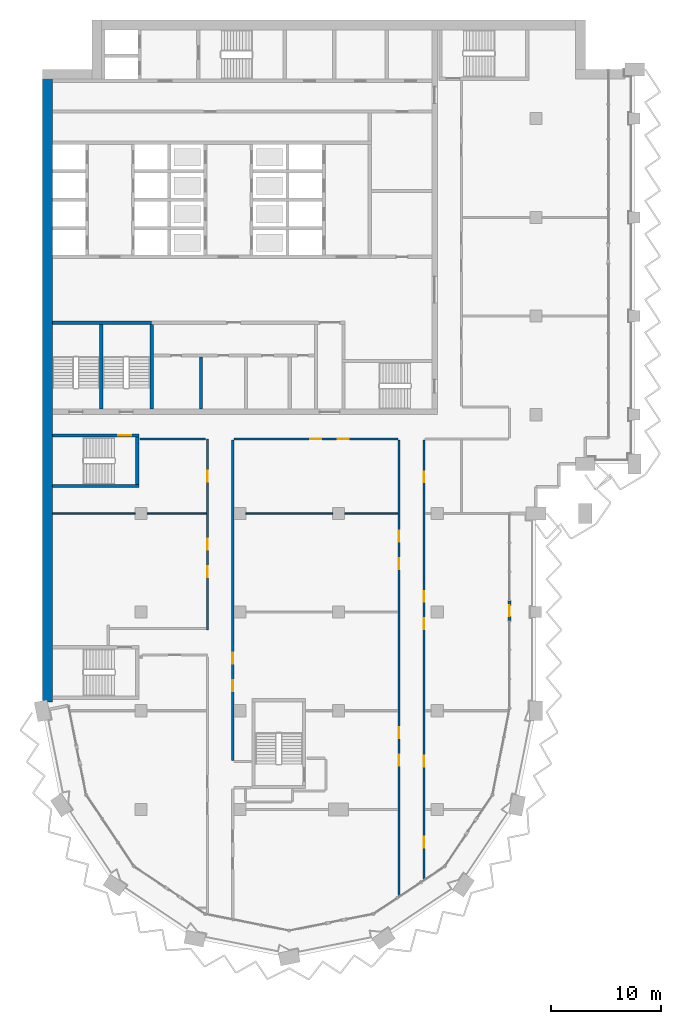
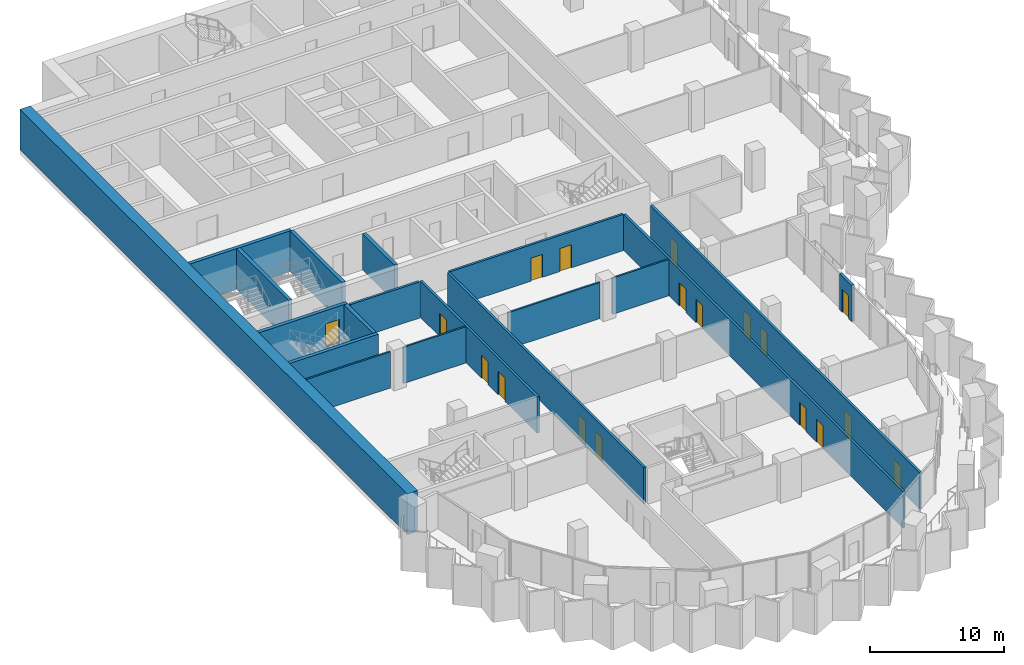
# One storey, part 7 of 18: 19 walls, 18 doors, 18 openings.
"""IFC4 building model written with IfcOpenShell, lengths in metres."""

from ifc_helpers import new_model, si_unit, direction, frame, frame_2d, origin, place, context, subcontext, project, spatial, rectangle, extrude, material, layer, layer_set, type_object, element, fill, save


model = new_model("IFC4")

# Units and contexts
model_context = context("Model", 3, precision=1e-05, world=origin(), true_north=direction((0.0, 1.0)))
body_context = subcontext(model_context, "Body", "Model", "MODEL_VIEW")
ifc_project = project(units=[si_unit("LENGTHUNIT", "METRE"), si_unit("AREAUNIT", "SQUARE_METRE"), si_unit("VOLUMEUNIT", "CUBIC_METRE"), si_unit("PLANEANGLEUNIT", "RADIAN"), si_unit("MASSUNIT", "GRAM", prefix="KILO")], contexts=[model_context])

# Site, building, storey
site_placement = place(None, origin())
site = spatial("IfcSite", under=ifc_project, at=site_placement, CompositionType="ELEMENT")
building_placement = place(site_placement, origin())
building = spatial("IfcBuilding", under=site, at=building_placement, Name="Hunhe Ridgeline Campus", CompositionType="ELEMENT")
storey_placement = place(building_placement, frame((0.0, 0.0, 182.800048828125)))
storey = spatial("IfcBuildingStorey", under=building, at=storey_placement, Name="L46", CompositionType="ELEMENT", Elevation=182.800048828125)

# Walls
ifc_material_1 = material(Name="Masonry concrete blockwork", Category="masonry")
ifc_layer_1 = layer(ifc_material_1, 0.300048828125)
ifc_layer_set_1 = layer_set([ifc_layer_1], Name="Core room partition 300 concrete block")
wall_type_1 = type_object("IfcWallType", Name="Core room partition 300 concrete block", PredefinedType="PARTITIONING", material=ifc_layer_set_1)
wall_1_placement = place(storey_placement, frame((14.449951171875, 63.5, 0.0), z_axis=(0.0, 0.0, 1.0), x_axis=(0.0, 1.0, 0.0)))
element("IfcWall", 1, at=wall_1_placement, inside=storey, type_object=wall_type_1, Name="L46 core partition 39", PredefinedType="PARTITIONING", context=body_context, shape_type="SweptSolid", body=[
    extrude(rectangle(XDim=4.75, YDim=0.300048828125, at=frame_2d((2.375, 0.0))), origin(), (0.0, 0.0, 1.0), 3.300048828125),
])
ifc_material_2 = material(Name="Gypsum board partition")
ifc_layer_2 = layer(ifc_material_2, 0.199951171875)
ifc_layer_set_2 = layer_set([ifc_layer_2], Name="Corridor partition 200 gypsum board on steel studs")
wall_type_2 = type_object("IfcWallType", Name="Corridor partition 200 gypsum board on steel studs", PredefinedType="PARTITIONING", material=ifc_layer_set_2)
wall_2_placement = place(storey_placement, frame((14.850341796875, 60.800048828125, 0.0), z_axis=(0.0, 0.0, 1.0), x_axis=(-1.0, 0.0, 0.0)))
element("IfcWall", 2, at=wall_2_placement, inside=storey, type_object=wall_type_2, Name="F-L46-wall-027", PredefinedType="PARTITIONING", context=body_context, shape_type="SweptSolid", body=[
    extrude(rectangle(XDim=5.9462890625, YDim=0.199951171875, at=frame_2d((2.97314453125, 0.0))), origin(), (0.0, 0.0, 1.0), 3.300048828125),
])

# Wall, openings, doors
wall_3_placement = place(storey_placement, frame((32.39990234375, 60.800048828125, 0.0), z_axis=(0.0, 0.0, 1.0), x_axis=(-1.0, 0.0, 0.0)))
wall_3 = element("IfcWall", 3, at=wall_3_placement, inside=storey, type_object=wall_type_2, Name="F-L46-wall-028", PredefinedType="PARTITIONING", context=body_context, shape_type="SweptSolid", body=[
    extrude(rectangle(XDim=14.949951171875, YDim=0.199951171875, at=frame_2d((7.47509765625, 0.0))), origin(), (0.0, 0.0, 1.0), 3.300048828125),
])
opening_1_placement = place(wall_3_placement, frame((6.97509765625, 0.0, 0.0)))
opening_1 = element("IfcOpeningElement", 4, at=opening_1_placement, cuts=wall_3, Name="Opening RD1-020", PredefinedType="OPENING", context=body_context, shape_type="SweptSolid", body=[
    extrude(rectangle(XDim=1.0, YDim=2.10009765625, at=frame_2d((0.5, 1.050048828125))), frame((0.0, 0.10009765625, 0.0), z_axis=(0.0, -1.0, 0.0), x_axis=(1.0, 0.0, 0.0)), (0.0, 0.0, 1.0), 0.199951171875),
])
opening_2_placement = place(wall_3_placement, frame((4.47509765625, 0.0, 0.0)))
opening_2 = element("IfcOpeningElement", 5, at=opening_2_placement, cuts=wall_3, Name="Opening RD1-021", PredefinedType="OPENING", context=body_context, shape_type="SweptSolid", body=[
    extrude(rectangle(XDim=1.0, YDim=2.10009765625, at=frame_2d((0.5, 1.050048828125))), frame((0.0, 0.10009765625, 0.0), z_axis=(0.0, -1.0, 0.0), x_axis=(1.0, 0.0, 0.0)), (0.0, 0.0, 1.0), 0.199951171875),
])
ifc_material_3 = material(Name="Timber door leaf", Category="wood")
door_type_1 = type_object("IfcDoorType", Name="Single fire door 1000x2100 timber FD60", OperationType="NOTDEFINED", PredefinedType="DOOR", material=ifc_material_3)
door_1_placement = place(opening_1_placement, frame((1.0, 0.0, 0.0), z_axis=(0.0, 0.0, 1.0), x_axis=(-1.0, 0.0, 0.0)))
door_1 = element("IfcDoor", 6, at=door_1_placement, inside=storey, type_object=door_type_1, Name="F-L46-door-020", OperationType="SINGLE_SWING_LEFT", OverallHeight=2.10009765625, OverallWidth=1.0, PredefinedType="DOOR", context=body_context, shape_type="SweptSolid", body=[
    extrude(rectangle(XDim=1.0, YDim=2.10009765625, at=frame_2d((0.5, 1.050048828125))), frame((0.0, 0.02490234375, 0.0), z_axis=(0.0, -1.0, 0.0), x_axis=(1.0, 0.0, 0.0)), (0.0, 0.0, 1.0), 0.050048828125),
])
fill(opening_1, door_1)
door_2_placement = place(opening_2_placement, frame((1.0, 0.0, 0.0), z_axis=(0.0, 0.0, 1.0), x_axis=(-1.0, 0.0, 0.0)))
door_2 = element("IfcDoor", 7, at=door_2_placement, inside=storey, type_object=door_type_1, Name="F-L46-door-021", OperationType="SINGLE_SWING_RIGHT", OverallHeight=2.10009765625, OverallWidth=1.0, PredefinedType="DOOR", context=body_context, shape_type="SweptSolid", body=[
    extrude(rectangle(XDim=1.0, YDim=2.10009765625, at=frame_2d((0.5, 1.050048828125))), frame((0.0, 0.02490234375, 0.0), z_axis=(0.0, -1.0, 0.0), x_axis=(1.0, 0.0, 0.0)), (0.0, 0.0, 1.0), 0.050048828125),
])
fill(opening_2, door_2)

wall_4_placement = place(storey_placement, frame((15.050048828125, 43.37451171875, 0.0), z_axis=(0.0, 0.0, 1.0), x_axis=(0.0, 1.0, 0.0)))
wall_4 = element("IfcWall", 8, at=wall_4_placement, inside=storey, type_object=wall_type_2, Name="F-L46-wall-038", PredefinedType="PARTITIONING", context=body_context, shape_type="SweptSolid", body=[
    extrude(rectangle(XDim=17.425537109375, YDim=0.199951171875, at=frame_2d((8.712890625, 0.0))), origin(), (0.0, 0.0, 1.0), 3.300048828125),
])
opening_3_placement = place(wall_4_placement, frame((4.803466796875, 0.0, 0.0)))
opening_3 = element("IfcOpeningElement", 9, at=opening_3_placement, cuts=wall_4, Name="Opening RD1-014", PredefinedType="OPENING", context=body_context, shape_type="SweptSolid", body=[
    extrude(rectangle(XDim=1.0, YDim=2.10009765625, at=frame_2d((0.5, 1.050048828125))), frame((0.0, 0.10009765625, 0.0), z_axis=(0.0, -1.0, 0.0), x_axis=(1.0, 0.0, 0.0)), (0.0, 0.0, 1.0), 0.199951171875),
])
opening_4_placement = place(wall_4_placement, frame((7.303466796875, 0.0, 0.0)))
opening_4 = element("IfcOpeningElement", 10, at=opening_4_placement, cuts=wall_4, Name="Opening RD1-016", PredefinedType="OPENING", context=body_context, shape_type="SweptSolid", body=[
    extrude(rectangle(XDim=1.0, YDim=2.10009765625, at=frame_2d((0.5, 1.050048828125))), frame((0.0, 0.10009765625, 0.0), z_axis=(0.0, -1.0, 0.0), x_axis=(1.0, 0.0, 0.0)), (0.0, 0.0, 1.0), 0.199951171875),
])
opening_5_placement = place(wall_4_placement, frame((13.51611328125, 0.0, 0.0)))
opening_5 = element("IfcOpeningElement", 11, at=opening_5_placement, cuts=wall_4, Name="Opening RD1-019", PredefinedType="OPENING", context=body_context, shape_type="SweptSolid", body=[
    extrude(rectangle(XDim=1.0, YDim=2.10009765625, at=frame_2d((0.5, 1.050048828125))), frame((0.0, 0.10009765625, 0.0), z_axis=(0.0, -1.0, 0.0), x_axis=(1.0, 0.0, 0.0)), (0.0, 0.0, 1.0), 0.199951171875),
])
door_3_placement = place(opening_3_placement, frame((1.0, 0.0, 0.0), z_axis=(0.0, 0.0, 1.0), x_axis=(-1.0, 0.0, 0.0)))
door_3 = element("IfcDoor", 12, at=door_3_placement, inside=storey, type_object=door_type_1, Name="F-L46-door-014", OperationType="SINGLE_SWING_RIGHT", OverallHeight=2.10009765625, OverallWidth=1.0, PredefinedType="DOOR", context=body_context, shape_type="SweptSolid", body=[
    extrude(rectangle(XDim=1.0, YDim=2.10009765625, at=frame_2d((0.5, 1.050048828125))), frame((0.0, 0.02490234375, 0.0), z_axis=(0.0, -1.0, 0.0), x_axis=(1.0, 0.0, 0.0)), (0.0, 0.0, 1.0), 0.050048828125),
])
fill(opening_3, door_3)
door_4_placement = place(opening_4_placement, frame((1.0, 0.0, 0.0), z_axis=(0.0, 0.0, 1.0), x_axis=(-1.0, 0.0, 0.0)))
door_4 = element("IfcDoor", 13, at=door_4_placement, inside=storey, type_object=door_type_1, Name="F-L46-door-016", OperationType="SINGLE_SWING_LEFT", OverallHeight=2.10009765625, OverallWidth=1.0, PredefinedType="DOOR", context=body_context, shape_type="SweptSolid", body=[
    extrude(rectangle(XDim=1.0, YDim=2.10009765625, at=frame_2d((0.5, 1.050048828125))), frame((0.0, 0.02490234375, 0.0), z_axis=(0.0, -1.0, 0.0), x_axis=(1.0, 0.0, 0.0)), (0.0, 0.0, 1.0), 0.050048828125),
])
fill(opening_4, door_4)
door_5_placement = place(opening_5_placement, origin())
door_5 = element("IfcDoor", 14, at=door_5_placement, inside=storey, type_object=door_type_1, Name="F-L46-door-019", OperationType="SINGLE_SWING_LEFT", OverallHeight=2.10009765625, OverallWidth=1.0, PredefinedType="DOOR", context=body_context, shape_type="SweptSolid", body=[
    extrude(rectangle(XDim=1.0, YDim=2.10009765625, at=frame_2d((0.5, 1.050048828125))), frame((0.0, 0.02490234375, 0.0), z_axis=(0.0, -1.0, 0.0), x_axis=(1.0, 0.0, 0.0)), (0.0, 0.0, 1.0), 0.050048828125),
])
fill(opening_5, door_5)

wall_5_placement = place(storey_placement, frame((17.35009765625, 60.699951171875, 0.0), z_axis=(0.0, 0.0, 1.0), x_axis=(0.0, -1.0, 0.0)))
wall_5 = element("IfcWall", 15, at=wall_5_placement, inside=storey, type_object=wall_type_2, Name="F-L46-wall-040", PredefinedType="PARTITIONING", context=body_context, shape_type="SweptSolid", body=[
    extrude(rectangle(XDim=29.224853515625, YDim=0.199951171875, at=frame_2d((14.6123046875, 0.0))), origin(), (0.0, 0.0, 1.0), 3.300048828125),
])
opening_6_placement = place(wall_5_placement, frame((21.922607421875, 0.0, 0.0)))
opening_6 = element("IfcOpeningElement", 16, at=opening_6_placement, cuts=wall_5, Name="Opening RD1-009", PredefinedType="OPENING", context=body_context, shape_type="SweptSolid", body=[
    extrude(rectangle(XDim=1.0, YDim=2.10009765625, at=frame_2d((0.5, 1.050048828125))), frame((0.0, 0.10009765625, 0.0), z_axis=(0.0, -1.0, 0.0), x_axis=(1.0, 0.0, 0.0)), (0.0, 0.0, 1.0), 0.199951171875),
])
opening_7_placement = place(wall_5_placement, frame((19.422607421875, 0.0, 0.0)))
opening_7 = element("IfcOpeningElement", 17, at=opening_7_placement, cuts=wall_5, Name="Opening RD1-010", PredefinedType="OPENING", context=body_context, shape_type="SweptSolid", body=[
    extrude(rectangle(XDim=1.0, YDim=2.10009765625, at=frame_2d((0.5, 1.050048828125))), frame((0.0, 0.10009765625, 0.0), z_axis=(0.0, -1.0, 0.0), x_axis=(1.0, 0.0, 0.0)), (0.0, 0.0, 1.0), 0.199951171875),
])
door_6_placement = place(opening_6_placement, frame((1.0, 0.0, 0.0), z_axis=(0.0, 0.0, 1.0), x_axis=(-1.0, 0.0, 0.0)))
door_6 = element("IfcDoor", 18, at=door_6_placement, inside=storey, type_object=door_type_1, Name="F-L46-door-009", OperationType="SINGLE_SWING_LEFT", OverallHeight=2.10009765625, OverallWidth=1.0, PredefinedType="DOOR", context=body_context, shape_type="SweptSolid", body=[
    extrude(rectangle(XDim=1.0, YDim=2.10009765625, at=frame_2d((0.5, 1.050048828125))), frame((0.0, 0.02490234375, 0.0), z_axis=(0.0, -1.0, 0.0), x_axis=(1.0, 0.0, 0.0)), (0.0, 0.0, 1.0), 0.050048828125),
])
fill(opening_6, door_6)
door_7_placement = place(opening_7_placement, frame((1.0, 0.0, 0.0), z_axis=(0.0, 0.0, 1.0), x_axis=(-1.0, 0.0, 0.0)))
door_7 = element("IfcDoor", 19, at=door_7_placement, inside=storey, type_object=door_type_1, Name="F-L46-door-010", OperationType="SINGLE_SWING_RIGHT", OverallHeight=2.10009765625, OverallWidth=1.0, PredefinedType="DOOR", context=body_context, shape_type="SweptSolid", body=[
    extrude(rectangle(XDim=1.0, YDim=2.10009765625, at=frame_2d((0.5, 1.050048828125))), frame((0.0, 0.02490234375, 0.0), z_axis=(0.0, -1.0, 0.0), x_axis=(1.0, 0.0, 0.0)), (0.0, 0.0, 1.0), 0.050048828125),
])
fill(opening_7, door_7)

wall_6_placement = place(storey_placement, frame((32.5, 19.09375, 0.0), z_axis=(0.0, 0.0, 1.0), x_axis=(0.0, 1.0, 0.0)))
wall_6 = element("IfcWall", 20, at=wall_6_placement, inside=storey, type_object=wall_type_2, Name="F-L46-wall-044", PredefinedType="PARTITIONING", context=body_context, shape_type="SweptSolid", body=[
    extrude(rectangle(XDim=41.606201171875, YDim=0.199951171875, at=frame_2d((20.80322265625, 0.0))), origin(), (0.0, 0.0, 1.0), 3.300048828125),
])
opening_8_placement = place(wall_6_placement, frame((11.90673828125, 0.0, 0.0)))
opening_8 = element("IfcOpeningElement", 21, at=opening_8_placement, cuts=wall_6, Name="Opening RD1-007", PredefinedType="OPENING", context=body_context, shape_type="SweptSolid", body=[
    extrude(rectangle(XDim=1.0, YDim=2.10009765625, at=frame_2d((0.5, 1.050048828125))), frame((0.0, 0.10009765625, 0.0), z_axis=(0.0, -1.0, 0.0), x_axis=(1.0, 0.0, 0.0)), (0.0, 0.0, 1.0), 0.199951171875),
])
opening_9_placement = place(wall_6_placement, frame((14.40673828125, 0.0, 0.0)))
opening_9 = element("IfcOpeningElement", 22, at=opening_9_placement, cuts=wall_6, Name="Opening RD1-008", PredefinedType="OPENING", context=body_context, shape_type="SweptSolid", body=[
    extrude(rectangle(XDim=1.0, YDim=2.10009765625, at=frame_2d((0.5, 1.050048828125))), frame((0.0, 0.10009765625, 0.0), z_axis=(0.0, -1.0, 0.0), x_axis=(1.0, 0.0, 0.0)), (0.0, 0.0, 1.0), 0.199951171875),
])
opening_10_placement = place(wall_6_placement, frame((29.827392578125, 0.0, 0.0)))
opening_10 = element("IfcOpeningElement", 23, at=opening_10_placement, cuts=wall_6, Name="Opening RD1-015", PredefinedType="OPENING", context=body_context, shape_type="SweptSolid", body=[
    extrude(rectangle(XDim=1.0, YDim=2.10009765625, at=frame_2d((0.5, 1.050048828125))), frame((0.0, 0.10009765625, 0.0), z_axis=(0.0, -1.0, 0.0), x_axis=(1.0, 0.0, 0.0)), (0.0, 0.0, 1.0), 0.199951171875),
])
opening_11_placement = place(wall_6_placement, frame((32.327392578125, 0.0, 0.0)))
opening_11 = element("IfcOpeningElement", 24, at=opening_11_placement, cuts=wall_6, Name="Opening RD1-017", PredefinedType="OPENING", context=body_context, shape_type="SweptSolid", body=[
    extrude(rectangle(XDim=1.0, YDim=2.10009765625, at=frame_2d((0.5, 1.050048828125))), frame((0.0, 0.10009765625, 0.0), z_axis=(0.0, -1.0, 0.0), x_axis=(1.0, 0.0, 0.0)), (0.0, 0.0, 1.0), 0.199951171875),
])
door_8_placement = place(opening_8_placement, frame((1.0, 0.0, 0.0), z_axis=(0.0, 0.0, 1.0), x_axis=(-1.0, 0.0, 0.0)))
door_8 = element("IfcDoor", 25, at=door_8_placement, inside=storey, type_object=door_type_1, Name="F-L46-door-007", OperationType="SINGLE_SWING_LEFT", OverallHeight=2.10009765625, OverallWidth=1.0, PredefinedType="DOOR", context=body_context, shape_type="SweptSolid", body=[
    extrude(rectangle(XDim=1.0, YDim=2.10009765625, at=frame_2d((0.5, 1.050048828125))), frame((0.0, 0.02490234375, 0.0), z_axis=(0.0, -1.0, 0.0), x_axis=(1.0, 0.0, 0.0)), (0.0, 0.0, 1.0), 0.050048828125),
])
fill(opening_8, door_8)
door_9_placement = place(opening_9_placement, frame((1.0, 0.0, 0.0), z_axis=(0.0, 0.0, 1.0), x_axis=(-1.0, 0.0, 0.0)))
door_9 = element("IfcDoor", 26, at=door_9_placement, inside=storey, type_object=door_type_1, Name="F-L46-door-008", OperationType="SINGLE_SWING_LEFT", OverallHeight=2.10009765625, OverallWidth=1.0, PredefinedType="DOOR", context=body_context, shape_type="SweptSolid", body=[
    extrude(rectangle(XDim=1.0, YDim=2.10009765625, at=frame_2d((0.5, 1.050048828125))), frame((0.0, 0.02490234375, 0.0), z_axis=(0.0, -1.0, 0.0), x_axis=(1.0, 0.0, 0.0)), (0.0, 0.0, 1.0), 0.050048828125),
])
fill(opening_9, door_9)
door_10_placement = place(opening_10_placement, frame((1.0, 0.0, 0.0), z_axis=(0.0, 0.0, 1.0), x_axis=(-1.0, 0.0, 0.0)))
door_10 = element("IfcDoor", 27, at=door_10_placement, inside=storey, type_object=door_type_1, Name="F-L46-door-015", OperationType="SINGLE_SWING_LEFT", OverallHeight=2.10009765625, OverallWidth=1.0, PredefinedType="DOOR", context=body_context, shape_type="SweptSolid", body=[
    extrude(rectangle(XDim=1.0, YDim=2.10009765625, at=frame_2d((0.5, 1.050048828125))), frame((0.0, 0.02490234375, 0.0), z_axis=(0.0, -1.0, 0.0), x_axis=(1.0, 0.0, 0.0)), (0.0, 0.0, 1.0), 0.050048828125),
])
fill(opening_10, door_10)
door_11_placement = place(opening_11_placement, frame((1.0, 0.0, 0.0), z_axis=(0.0, 0.0, 1.0), x_axis=(-1.0, 0.0, 0.0)))
door_11 = element("IfcDoor", 28, at=door_11_placement, inside=storey, type_object=door_type_1, Name="F-L46-door-017", OperationType="SINGLE_SWING_LEFT", OverallHeight=2.10009765625, OverallWidth=1.0, PredefinedType="DOOR", context=body_context, shape_type="SweptSolid", body=[
    extrude(rectangle(XDim=1.0, YDim=2.10009765625, at=frame_2d((0.5, 1.050048828125))), frame((0.0, 0.02490234375, 0.0), z_axis=(0.0, -1.0, 0.0), x_axis=(1.0, 0.0, 0.0)), (0.0, 0.0, 1.0), 0.050048828125),
])
fill(opening_11, door_11)

wall_7_placement = place(storey_placement, frame((34.800048828125, 60.699951171875, 0.0), z_axis=(0.0, 0.0, 1.0), x_axis=(0.0, -1.0, 0.0)))
wall_7 = element("IfcWall", 29, at=wall_7_placement, inside=storey, type_object=wall_type_2, Name="F-L46-wall-045", PredefinedType="PARTITIONING", context=body_context, shape_type="SweptSolid", body=[
    extrude(rectangle(XDim=40.0693359375, YDim=0.199951171875, at=frame_2d((20.03466796875, 0.0))), origin(), (0.0, 0.0, 1.0), 3.300048828125),
])
opening_12_placement = place(wall_7_placement, frame((36.1884765625, 0.0, 0.0)))
opening_12 = element("IfcOpeningElement", 30, at=opening_12_placement, cuts=wall_7, Name="Opening RD1-002", PredefinedType="OPENING", context=body_context, shape_type="SweptSolid", body=[
    extrude(rectangle(XDim=1.0, YDim=2.10009765625, at=frame_2d((0.5, 1.050048828125))), frame((0.0, 0.10009765625, 0.0), z_axis=(0.0, -1.0, 0.0), x_axis=(1.0, 0.0, 0.0)), (0.0, 0.0, 1.0), 0.199951171875),
])
opening_13_placement = place(wall_7_placement, frame((28.80078125, 0.0, 0.0)))
opening_13 = element("IfcOpeningElement", 31, at=opening_13_placement, cuts=wall_7, Name="Opening RD1-006", PredefinedType="OPENING", context=body_context, shape_type="SweptSolid", body=[
    extrude(rectangle(XDim=1.0, YDim=2.10009765625, at=frame_2d((0.5, 1.050048828125))), frame((0.0, 0.10009765625, 0.0), z_axis=(0.0, -1.0, 0.0), x_axis=(1.0, 0.0, 0.0)), (0.0, 0.0, 1.0), 0.199951171875),
])
opening_14_placement = place(wall_7_placement, frame((16.27734375, 0.0, 0.0)))
opening_14 = element("IfcOpeningElement", 32, at=opening_14_placement, cuts=wall_7, Name="Opening RD1-012", PredefinedType="OPENING", context=body_context, shape_type="SweptSolid", body=[
    extrude(rectangle(XDim=1.0, YDim=2.10009765625, at=frame_2d((0.5, 1.050048828125))), frame((0.0, 0.10009765625, 0.0), z_axis=(0.0, -1.0, 0.0), x_axis=(1.0, 0.0, 0.0)), (0.0, 0.0, 1.0), 0.199951171875),
])
opening_15_placement = place(wall_7_placement, frame((13.77734375, 0.0, 0.0)))
opening_15 = element("IfcOpeningElement", 33, at=opening_15_placement, cuts=wall_7, Name="Opening RD1-013", PredefinedType="OPENING", context=body_context, shape_type="SweptSolid", body=[
    extrude(rectangle(XDim=1.0, YDim=2.10009765625, at=frame_2d((0.5, 1.050048828125))), frame((0.0, 0.10009765625, 0.0), z_axis=(0.0, -1.0, 0.0), x_axis=(1.0, 0.0, 0.0)), (0.0, 0.0, 1.0), 0.199951171875),
])
opening_16_placement = place(wall_7_placement, frame((2.880859375, 0.0, 0.0)))
opening_16 = element("IfcOpeningElement", 34, at=opening_16_placement, cuts=wall_7, Name="Opening RD1-018", PredefinedType="OPENING", context=body_context, shape_type="SweptSolid", body=[
    extrude(rectangle(XDim=1.0, YDim=2.10009765625, at=frame_2d((0.5, 1.050048828125))), frame((0.0, 0.10009765625, 0.0), z_axis=(0.0, -1.0, 0.0), x_axis=(1.0, 0.0, 0.0)), (0.0, 0.0, 1.0), 0.199951171875),
])
door_12_placement = place(opening_12_placement, origin())
door_12 = element("IfcDoor", 35, at=door_12_placement, inside=storey, type_object=door_type_1, Name="F-L46-door-002", OperationType="SINGLE_SWING_LEFT", OverallHeight=2.10009765625, OverallWidth=1.0, PredefinedType="DOOR", context=body_context, shape_type="SweptSolid", body=[
    extrude(rectangle(XDim=1.0, YDim=2.10009765625, at=frame_2d((0.5, 1.050048828125))), frame((0.0, 0.02490234375, 0.0), z_axis=(0.0, -1.0, 0.0), x_axis=(1.0, 0.0, 0.0)), (0.0, 0.0, 1.0), 0.050048828125),
])
fill(opening_12, door_12)
door_13_placement = place(opening_13_placement, origin())
door_13 = element("IfcDoor", 36, at=door_13_placement, inside=storey, type_object=door_type_1, Name="F-L46-door-006", OperationType="SINGLE_SWING_LEFT", OverallHeight=2.10009765625, OverallWidth=1.0, PredefinedType="DOOR", context=body_context, shape_type="SweptSolid", body=[
    extrude(rectangle(XDim=1.0, YDim=2.10009765625, at=frame_2d((0.5, 1.050048828125))), frame((0.0, 0.02490234375, 0.0), z_axis=(0.0, -1.0, 0.0), x_axis=(1.0, 0.0, 0.0)), (0.0, 0.0, 1.0), 0.050048828125),
])
fill(opening_13, door_13)
door_14_placement = place(opening_14_placement, frame((1.0, 0.0, 0.0), z_axis=(0.0, 0.0, 1.0), x_axis=(-1.0, 0.0, 0.0)))
door_14 = element("IfcDoor", 37, at=door_14_placement, inside=storey, type_object=door_type_1, Name="F-L46-door-012", OperationType="SINGLE_SWING_LEFT", OverallHeight=2.10009765625, OverallWidth=1.0, PredefinedType="DOOR", context=body_context, shape_type="SweptSolid", body=[
    extrude(rectangle(XDim=1.0, YDim=2.10009765625, at=frame_2d((0.5, 1.050048828125))), frame((0.0, 0.02490234375, 0.0), z_axis=(0.0, -1.0, 0.0), x_axis=(1.0, 0.0, 0.0)), (0.0, 0.0, 1.0), 0.050048828125),
])
fill(opening_14, door_14)
door_15_placement = place(opening_15_placement, frame((1.0, 0.0, 0.0), z_axis=(0.0, 0.0, 1.0), x_axis=(-1.0, 0.0, 0.0)))
door_15 = element("IfcDoor", 38, at=door_15_placement, inside=storey, type_object=door_type_1, Name="F-L46-door-013", OperationType="SINGLE_SWING_RIGHT", OverallHeight=2.10009765625, OverallWidth=1.0, PredefinedType="DOOR", context=body_context, shape_type="SweptSolid", body=[
    extrude(rectangle(XDim=1.0, YDim=2.10009765625, at=frame_2d((0.5, 1.050048828125))), frame((0.0, 0.02490234375, 0.0), z_axis=(0.0, -1.0, 0.0), x_axis=(1.0, 0.0, 0.0)), (0.0, 0.0, 1.0), 0.050048828125),
])
fill(opening_15, door_15)
door_16_placement = place(opening_16_placement, origin())
door_16 = element("IfcDoor", 39, at=door_16_placement, inside=storey, type_object=door_type_1, Name="F-L46-door-018", OperationType="SINGLE_SWING_LEFT", OverallHeight=2.10009765625, OverallWidth=1.0, PredefinedType="DOOR", context=body_context, shape_type="SweptSolid", body=[
    extrude(rectangle(XDim=1.0, YDim=2.10009765625, at=frame_2d((0.5, 1.050048828125))), frame((0.0, 0.02490234375, 0.0), z_axis=(0.0, -1.0, 0.0), x_axis=(1.0, 0.0, 0.0)), (0.0, 0.0, 1.0), 0.050048828125),
])
fill(opening_16, door_16)

# Wall, opening, door
ifc_material_4 = material(Name="Concrete C30", Category="concrete")
ifc_layer_3 = layer(ifc_material_4, 0.25)
ifc_layer_set_3 = layer_set([ifc_layer_3], Name="Loggia door pier wall 250 Concrete C30")
wall_type_3 = type_object("IfcWallType", Name="Loggia door pier wall 250 Concrete C30", PredefinedType="SOLIDWALL", material=ifc_layer_set_3)
wall_8_placement = place(storey_placement, frame((42.59912109375, 44.218505859375, 0.0), z_axis=(0.0, 0.0, 1.0), x_axis=(0.0, 1.0, 0.0)))
wall_8 = element("IfcWall", 40, at=wall_8_placement, inside=storey, type_object=wall_type_3, Name="Loggia door pier 5", PredefinedType="SOLIDWALL", context=body_context, shape_type="SweptSolid", body=[
    extrude(rectangle(XDim=1.800048828125, YDim=0.25, at=frame_2d((0.89990234375, 0.0))), origin(), (0.0, 0.0, 1.0), 3.300048828125),
])
opening_17_placement = place(wall_8_placement, frame((0.39990234375, 0.0, 0.0)))
opening_17 = element("IfcOpeningElement", 41, at=opening_17_placement, cuts=wall_8, Name="Opening BD405", PredefinedType="OPENING", context=body_context, shape_type="SweptSolid", body=[
    extrude(rectangle(XDim=1.0, YDim=2.10009765625, at=frame_2d((0.5, 1.050048828125))), frame((0.0, 0.125, 0.0), z_axis=(0.0, -1.0, 0.0), x_axis=(1.0, 0.0, 0.0)), (0.0, 0.0, 1.0), 0.25),
])
ifc_material_5 = material(Name="Aluminium 6063", Category="aluminium")
door_type_2 = type_object("IfcDoorType", Name="Loggia glazed door 1000x2100", OperationType="NOTDEFINED", PredefinedType="DOOR", material=ifc_material_5)
door_17_placement = place(opening_17_placement, frame((1.0, 0.0, 0.0), z_axis=(0.0, 0.0, 1.0), x_axis=(-1.0, 0.0, 0.0)))
door_17 = element("IfcDoor", 42, at=door_17_placement, inside=storey, type_object=door_type_2, Name="Loggia door BD405", OperationType="SINGLE_SWING_RIGHT", OverallHeight=2.10009765625, OverallWidth=1.0, PredefinedType="DOOR", context=body_context, shape_type="SweptSolid", body=[
    extrude(rectangle(XDim=1.0, YDim=2.10009765625, at=frame_2d((0.5, 1.050048828125))), frame((0.0, 0.02490234375, 0.0), z_axis=(0.0, -1.0, 0.0), x_axis=(1.0, 0.0, 0.0)), (0.0, 0.0, 1.0), 0.050048828125),
])
fill(opening_17, door_17)

# Walls
ifc_layer_4 = layer(ifc_material_2, 0.14990234375)
ifc_layer_set_4 = layer_set([ifc_layer_4], Name="Room partition 150 gypsum board on steel studs")
wall_type_4 = type_object("IfcWallType", Name="Room partition 150 gypsum board on steel studs", PredefinedType="PARTITIONING", material=ifc_layer_set_4)
wall_9_placement = place(storey_placement, frame((0.919921875, 54.0, 0.0), z_axis=(0.0, 0.0, 1.0), x_axis=(1.0, 0.0, 0.0)))
element("IfcWall", 43, at=wall_9_placement, inside=storey, type_object=wall_type_4, Name="F-L46-wall-021", PredefinedType="PARTITIONING", context=body_context, shape_type="SweptSolid", body=[
    extrude(rectangle(XDim=7.530029296875, YDim=0.14990234375, at=frame_2d((3.76513671875, 0.0))), origin(), (0.0, 0.0, 1.0), 3.300048828125),
])
wall_10_placement = place(storey_placement, frame((9.550048828125, 54.0, 0.0), z_axis=(0.0, 0.0, 1.0), x_axis=(1.0, 0.0, 0.0)))
element("IfcWall", 44, at=wall_10_placement, inside=storey, type_object=wall_type_4, Name="F-L46-wall-022", PredefinedType="PARTITIONING", context=body_context, shape_type="SweptSolid", body=[
    extrude(rectangle(XDim=5.39990234375, YDim=0.14990234375, at=frame_2d((2.699951171875, 0.0))), origin(), (0.0, 0.0, 1.0), 3.300048828125),
])
wall_11_placement = place(storey_placement, frame((18.550048828125, 54.0, 0.0), z_axis=(0.0, 0.0, 1.0), x_axis=(1.0, 0.0, 0.0)))
element("IfcWall", 45, at=wall_11_placement, inside=storey, type_object=wall_type_4, Name="F-L46-wall-023", PredefinedType="PARTITIONING", context=body_context, shape_type="SweptSolid", body=[
    extrude(rectangle(XDim=7.89990234375, YDim=0.14990234375, at=frame_2d((3.949951171875, 0.0))), origin(), (0.0, 0.0, 1.0), 3.300048828125),
])
wall_12_placement = place(storey_placement, frame((27.550048828125, 54.0, 0.0), z_axis=(0.0, 0.0, 1.0), x_axis=(1.0, 0.0, 0.0)))
element("IfcWall", 46, at=wall_12_placement, inside=storey, type_object=wall_type_4, Name="F-L46-wall-024", PredefinedType="PARTITIONING", context=body_context, shape_type="SweptSolid", body=[
    extrude(rectangle(XDim=4.849853515625, YDim=0.14990234375, at=frame_2d((2.4248046875, 0.0))), origin(), (0.0, 0.0, 1.0), 3.300048828125),
])
ifc_material_6 = material(Name="Concrete C60", Category="concrete")
ifc_layer_5 = layer(ifc_material_6, 0.89990234375)
ifc_layer_set_5 = layer_set([ifc_layer_5], Name="Spine wall 900 Concrete C60")
wall_type_5 = type_object("IfcWallType", Name="Spine wall 900 Concrete C60", PredefinedType="SHEAR", material=ifc_layer_set_5)
wall_13_placement = place(storey_placement, frame((0.449951171875, 94.5, 0.0), z_axis=(0.0, 0.0, 1.0), x_axis=(0.0, -1.0, 0.0)))
element("IfcWall", 47, at=wall_13_placement, inside=storey, type_object=wall_type_5, Name="Spine wall SW3-1 L46", PredefinedType="SHEAR", context=body_context, shape_type="SweptSolid", body=[
    extrude(rectangle(XDim=57.686767578125, YDim=0.89990234375, at=frame_2d((28.84326171875, 0.0))), origin(), (0.0, 0.0, 1.0), 3.699951171875),
])
ifc_layer_6 = layer(ifc_material_6, 0.300048828125)
ifc_layer_set_6 = layer_set([ifc_layer_6], Name="Stair wall 300 reinforced concrete C60")
wall_type_6 = type_object("IfcWallType", Name="Stair wall 300 reinforced concrete C60", PredefinedType="SOLIDWALL", material=ifc_layer_set_6)
wall_14_placement = place(storey_placement, frame((0.89990234375, 56.5, -0.400146484375), z_axis=(0.0, 0.0, 1.0), x_axis=(1.0, 0.0, 0.0)))
element("IfcWall", 48, at=wall_14_placement, inside=storey, type_object=wall_type_6, Name="L46 core wall 5", PredefinedType="SOLIDWALL", context=body_context, shape_type="SweptSolid", body=[
    extrude(rectangle(XDim=7.900146484375, YDim=0.300048828125, at=frame_2d((3.9501953125, 0.0))), origin(), (0.0, 0.0, 1.0), 3.7001953125),
])

# Wall, opening, door
wall_15_placement = place(storey_placement, frame((0.89990234375, 61.10009765625, -0.400146484375), z_axis=(0.0, 0.0, 1.0), x_axis=(1.0, 0.0, 0.0)))
wall_15 = element("IfcWall", 49, at=wall_15_placement, inside=storey, type_object=wall_type_6, Name="L46 core wall 6", PredefinedType="SOLIDWALL", context=body_context, shape_type="SweptSolid", body=[
    extrude(rectangle(XDim=7.900146484375, YDim=0.300048828125, at=frame_2d((3.9501953125, 0.0))), origin(), (0.0, 0.0, 1.0), 3.7001953125),
])
opening_18_placement = place(wall_15_placement, frame((6.0, 0.0, 0.39990234375)))
opening_18 = element("IfcOpeningElement", 50, at=opening_18_placement, cuts=wall_15, Name="Opening CD22", PredefinedType="OPENING", context=body_context, shape_type="SweptSolid", body=[
    extrude(rectangle(XDim=1.199951171875, YDim=2.10009765625, at=frame_2d((0.60009765625, 1.050048828125))), frame((0.0, 0.14990234375, 0.0), z_axis=(0.0, -1.0, 0.0), x_axis=(1.0, 0.0, 0.0)), (0.0, 0.0, 1.0), 0.300048828125),
])
ifc_material_7 = material(Name="Hollow metal fire door leaf")
door_type_3 = type_object("IfcDoorType", Name="Stair door 1200x2100 FD60", OperationType="SINGLE_SWING_LEFT", PredefinedType="DOOR", material=ifc_material_7)
door_18_placement = place(opening_18_placement, origin())
door_18 = element("IfcDoor", 51, at=door_18_placement, inside=storey, type_object=door_type_3, Name="L46 door W2", OperationType="SINGLE_SWING_RIGHT", OverallHeight=2.10009765625, OverallWidth=1.199951171875, PredefinedType="DOOR", context=body_context, shape_type="SweptSolid", body=[
    extrude(rectangle(XDim=1.199951171875, YDim=2.10009765625, at=frame_2d((0.60009765625, 1.050048828125))), frame((0.0, 0.02490234375, 0.0), z_axis=(0.0, -1.0, 0.0), x_axis=(1.0, 0.0, 0.0)), (0.0, 0.0, 1.0), 0.050048828125),
])
fill(opening_18, door_18)

# Walls
wall_16_placement = place(storey_placement, frame((0.89990234375, 71.39990234375, -0.400146484375), z_axis=(0.0, 0.0, 1.0), x_axis=(1.0, 0.0, 0.0)))
element("IfcWall", 52, at=wall_16_placement, inside=storey, type_object=wall_type_6, Name="L46 core wall 10", PredefinedType="SOLIDWALL", context=body_context, shape_type="SweptSolid", body=[
    extrude(rectangle(XDim=9.050048828125, YDim=0.300048828125, at=frame_2d((4.52490234375, 0.0))), origin(), (0.0, 0.0, 1.0), 3.7001953125),
])
wall_17_placement = place(storey_placement, frame((5.35009765625, 63.5, -0.400146484375), z_axis=(0.0, 0.0, 1.0), x_axis=(0.0, 1.0, 0.0)))
element("IfcWall", 53, at=wall_17_placement, inside=storey, type_object=wall_type_6, Name="L46 core wall 30", PredefinedType="SOLIDWALL", context=body_context, shape_type="SweptSolid", body=[
    extrude(rectangle(XDim=7.75, YDim=0.300048828125, at=frame_2d((3.875, 0.0))), origin(), (0.0, 0.0, 1.0), 3.7001953125),
])
wall_18_placement = place(storey_placement, frame((8.64990234375, 56.64990234375, -0.400146484375), z_axis=(0.0, 0.0, 1.0), x_axis=(0.0, 1.0, 0.0)))
element("IfcWall", 54, at=wall_18_placement, inside=storey, type_object=wall_type_6, Name="L46 core wall 34", PredefinedType="SOLIDWALL", context=body_context, shape_type="SweptSolid", body=[
    extrude(rectangle(XDim=4.300048828125, YDim=0.300048828125, at=frame_2d((2.14990234375, 0.0))), origin(), (0.0, 0.0, 1.0), 3.7001953125),
])
wall_19_placement = place(storey_placement, frame((9.949951171875, 63.5, -0.400146484375), z_axis=(0.0, 0.0, 1.0), x_axis=(0.0, 1.0, 0.0)))
element("IfcWall", 55, at=wall_19_placement, inside=storey, type_object=wall_type_6, Name="L46 core wall 36", PredefinedType="SOLIDWALL", context=body_context, shape_type="SweptSolid", body=[
    extrude(rectangle(XDim=7.75, YDim=0.300048828125, at=frame_2d((3.875, 0.0))), origin(), (0.0, 0.0, 1.0), 3.7001953125),
])

save(model, "model.ifc")
